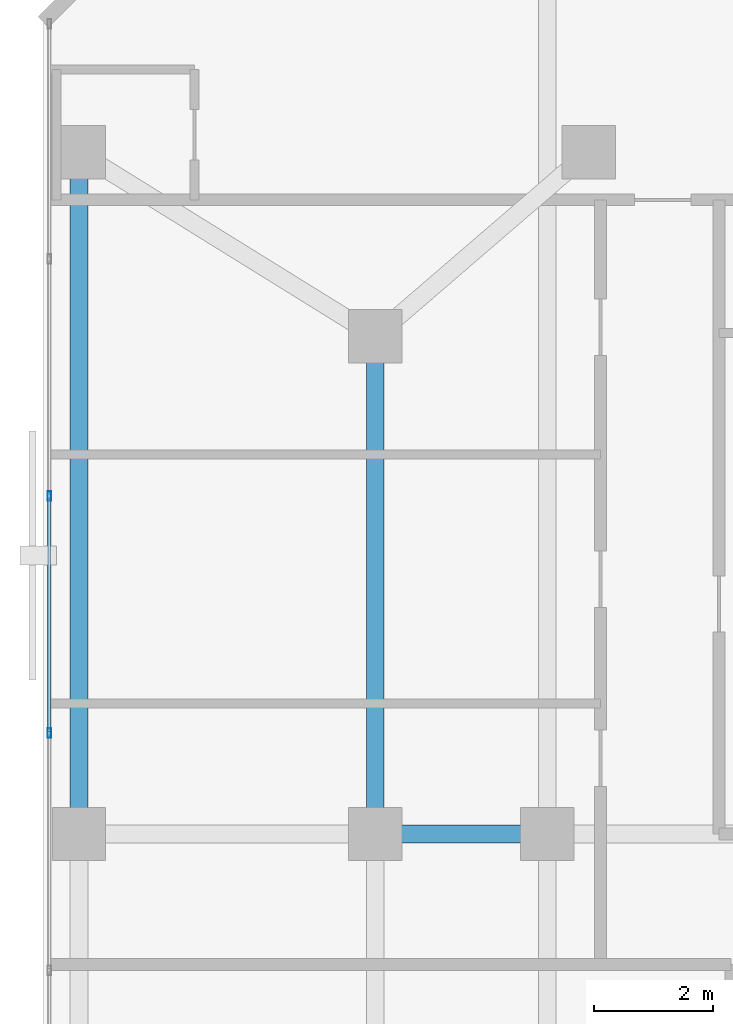
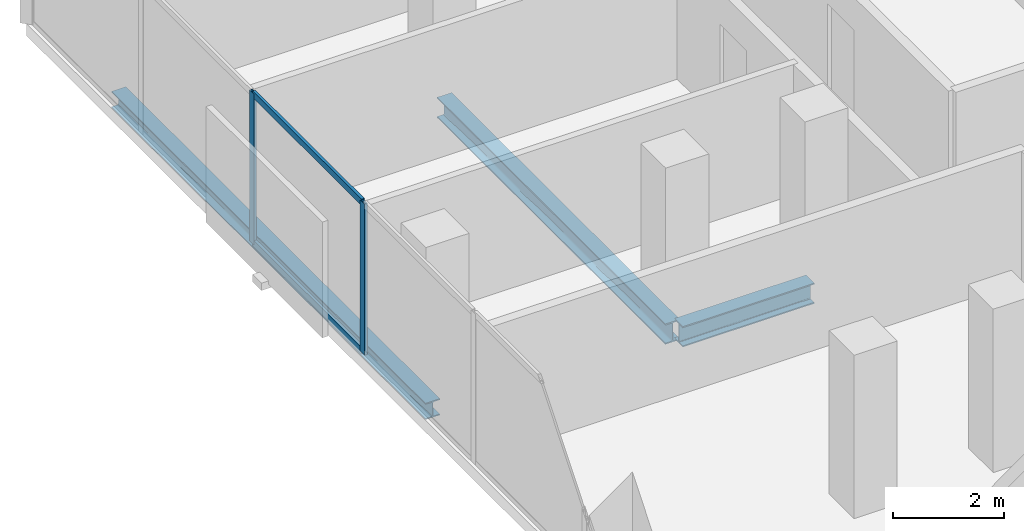
# One storey, part 11 of 34: 4 members, 3 beams, 1 element without a shape of its own.
"""IFC4 building model written with IfcOpenShell, lengths in metres."""

from ifc_helpers import new_model, si_unit, direction, frame, origin, origin_2d, place, context, subcontext, project, spatial, hollow_rectangle, i_section, extrude, material, layer, layer_set, material_profile, profile_set, type_object, element, aggregate, save


model = new_model("IFC4")

# Units and contexts
model_context = context("Model", 3, precision=1e-05, world=origin(), true_north=direction((0.0, 1.0)))
body_context = subcontext(model_context, "Body", "Model", "MODEL_VIEW")
ifc_project = project(units=[si_unit("LENGTHUNIT", "METRE"), si_unit("AREAUNIT", "SQUARE_METRE"), si_unit("VOLUMEUNIT", "CUBIC_METRE"), si_unit("PLANEANGLEUNIT", "RADIAN"), si_unit("MASSUNIT", "GRAM", prefix="KILO")], contexts=[model_context])

# Site, building, storey
site_placement = place(None, origin())
site = spatial("IfcSite", under=ifc_project, at=site_placement, CompositionType="ELEMENT")
building_placement = place(site_placement, origin())
building = spatial("IfcBuilding", under=site, at=building_placement, Name="Catumbela Crestline Tower", CompositionType="ELEMENT")
storey_placement = place(building_placement, frame((0.0, 0.0, 115.2)))
storey = spatial("IfcBuildingStorey", under=building, at=storey_placement, Name="L29", CompositionType="ELEMENT", Elevation=115.2)

# Beams
ifc_material_1 = material(Name="Structural steel S355J2", Category="steel")
ifc_material_profile_1 = material_profile(ifc_material_1, i_section(OverallWidth=0.3, OverallDepth=0.45, WebThickness=0.014, FlangeThickness=0.026, FilletRadius=0.027, at=origin_2d()), Name="HEB 450")
ifc_profile_set_1 = profile_set([ifc_material_profile_1], Name="Structural steel S355J2")
beam_type_1 = type_object("IfcBeamType", Name="BG-HEB450", PredefinedType="BEAM", material=ifc_profile_set_1)
beam_1_placement = place(storey_placement, frame((5.68, 30.8, -0.485), z_axis=(1.0, 0.0, 0.0), x_axis=(0.0, 1.0, 0.0)))
element("IfcBeam", 1, at=beam_1_placement, inside=storey, type_object=beam_type_1, Name="L29 Beam BM-L29-M08", PredefinedType="BEAM", context=body_context, shape_type="SweptSolid", body=[
    extrude(i_section(OverallWidth=0.3, OverallDepth=0.45, WebThickness=0.014, FlangeThickness=0.026, FilletRadius=0.027, at=origin_2d()), origin(), (0.0, 0.0, 1.0), 2.74),
])
beam_2_placement = place(storey_placement, frame((5.6, 30.88, -0.485), z_axis=(0.0, 1.0, 0.0), x_axis=(-1.0, 0.0, 0.0)))
element("IfcBeam", 2, at=beam_2_placement, inside=storey, type_object=beam_type_1, Name="L29 Beam BM-L29-SN25", PredefinedType="BEAM", context=body_context, shape_type="SweptSolid", body=[
    extrude(i_section(OverallWidth=0.3, OverallDepth=0.45, WebThickness=0.014, FlangeThickness=0.026, FilletRadius=0.027, at=origin_2d()), origin(), (0.0, 0.0, 1.0), 8.24),
])

# Curtain wall, members
ifc_material_2 = material(Name="Aluminium alloy AW-6060-T66", Category="aluminium")
ifc_layer = layer(ifc_material_2, 0.18, Name="Aluminium alloy AW-6060-T66")
ifc_layer_set = layer_set([ifc_layer], Name="Aluminium alloy AW-6060-T66")
curtain_wall_type = type_object("IfcCurtainWallType", Name="CWU-Z2", PredefinedType="USERDEFINED", material=ifc_layer_set)
curtain_wall_placement = place(storey_placement, origin())
curtain_wall = element("IfcCurtainWall", 3, at=curtain_wall_placement, inside=storey, type_object=curtain_wall_type, Name="L29 Unitised Curtain Wall CW-L29-E9S1", ObjectType="UNITISED", PredefinedType="USERDEFINED")
ifc_material_profile_2 = material_profile(ifc_material_2, hollow_rectangle(XDim=0.06, YDim=0.16, WallThickness=0.004, at=origin_2d()), Name="ALU 160x60x4")
ifc_profile_set_2 = profile_set([ifc_material_profile_2], Name="Aluminium alloy AW-6060-T66")
member_type_1 = type_object("IfcMemberType", Name="MUL-160X60", PredefinedType="MULLION", material=ifc_profile_set_2)
member_1_placement = place(storey_placement, frame((0.1, 36.5, 0.0), z_axis=(0.0, 0.0, 1.0), x_axis=(1.0, 0.0, 0.0)))
member_1 = element("IfcMember", 4, at=member_1_placement, type_object=member_type_1, Name="CWU-Z2 mullion 3", PredefinedType="MULLION", context=body_context, shape_type="SweptSolid", body=[
    extrude(hollow_rectangle(XDim=0.06, YDim=0.16, WallThickness=0.004, at=origin_2d()), origin(), (0.0, 0.0, 1.0), 3.33),
])
member_2_placement = place(storey_placement, frame((0.1, 32.5, 0.0), z_axis=(0.0, 0.0, 1.0), x_axis=(1.0, 0.0, 0.0)))
member_2 = element("IfcMember", 5, at=member_2_placement, type_object=member_type_1, Name="CWU-Z2 mullion 4", PredefinedType="MULLION", context=body_context, shape_type="SweptSolid", body=[
    extrude(hollow_rectangle(XDim=0.06, YDim=0.16, WallThickness=0.004, at=origin_2d()), origin(), (0.0, 0.0, 1.0), 3.33),
])

# Beam
ifc_material_profile_3 = material_profile(ifc_material_1, i_section(OverallWidth=0.3, OverallDepth=0.36, WebThickness=0.0125, FlangeThickness=0.0225, FilletRadius=0.027, at=origin_2d()), Name="HEB 360")
ifc_profile_set_3 = profile_set([ifc_material_profile_3], Name="Structural steel S355J2")
beam_type_2 = type_object("IfcBeamType", Name="BS-HEB360", PredefinedType="SPANDREL", material=ifc_profile_set_3)
beam_3_placement = place(storey_placement, frame((0.6, 30.88, -0.44), z_axis=(0.0, 1.0, 0.0), x_axis=(-1.0, 0.0, 0.0)))
element("IfcBeam", 6, at=beam_3_placement, inside=storey, type_object=beam_type_2, Name="L29 Spandrel SP-L29-SN23", PredefinedType="SPANDREL", context=body_context, shape_type="SweptSolid", body=[
    extrude(i_section(OverallWidth=0.3, OverallDepth=0.36, WebThickness=0.0125, FlangeThickness=0.0225, FilletRadius=0.027, at=origin_2d()), origin(), (0.0, 0.0, 1.0), 11.34),
])

# Member
ifc_material_profile_4 = material_profile(ifc_material_2, hollow_rectangle(XDim=0.06, YDim=0.14, WallThickness=0.004, at=origin_2d()), Name="ALU 140x60x4")
ifc_profile_set_4 = profile_set([ifc_material_profile_4], Name="Aluminium alloy AW-6060-T66")
member_type_2 = type_object("IfcMemberType", Name="TRN-140X60", PredefinedType="USERDEFINED", material=ifc_profile_set_4)
member_3_placement = place(storey_placement, frame((0.1, 36.4675, 0.03), z_axis=(0.0, -1.0, 0.0), x_axis=(1.0, 0.0, 0.0)))
member_3 = element("IfcMember", 7, at=member_3_placement, type_object=member_type_2, Name="CWU-Z2 transom 3.1", ObjectType="TRANSOM", PredefinedType="USERDEFINED", context=body_context, shape_type="SweptSolid", body=[
    extrude(hollow_rectangle(XDim=0.06, YDim=0.14, WallThickness=0.004, at=origin_2d()), origin(), (0.0, 0.0, 1.0), 3.935),
])

member_4_placement = place(storey_placement, frame((0.1, 36.4675, 3.3), z_axis=(0.0, -1.0, 0.0), x_axis=(1.0, 0.0, 0.0)))
member_4 = element("IfcMember", 8, at=member_4_placement, type_object=member_type_2, Name="CWU-Z2 transom 3.2", ObjectType="TRANSOM", PredefinedType="USERDEFINED", context=body_context, shape_type="SweptSolid", body=[
    extrude(hollow_rectangle(XDim=0.06, YDim=0.14, WallThickness=0.004, at=origin_2d()), origin(), (0.0, 0.0, 1.0), 3.935),
])

aggregate(curtain_wall, [member_1, member_2, member_3, member_4])

save(model, "model.ifc")
